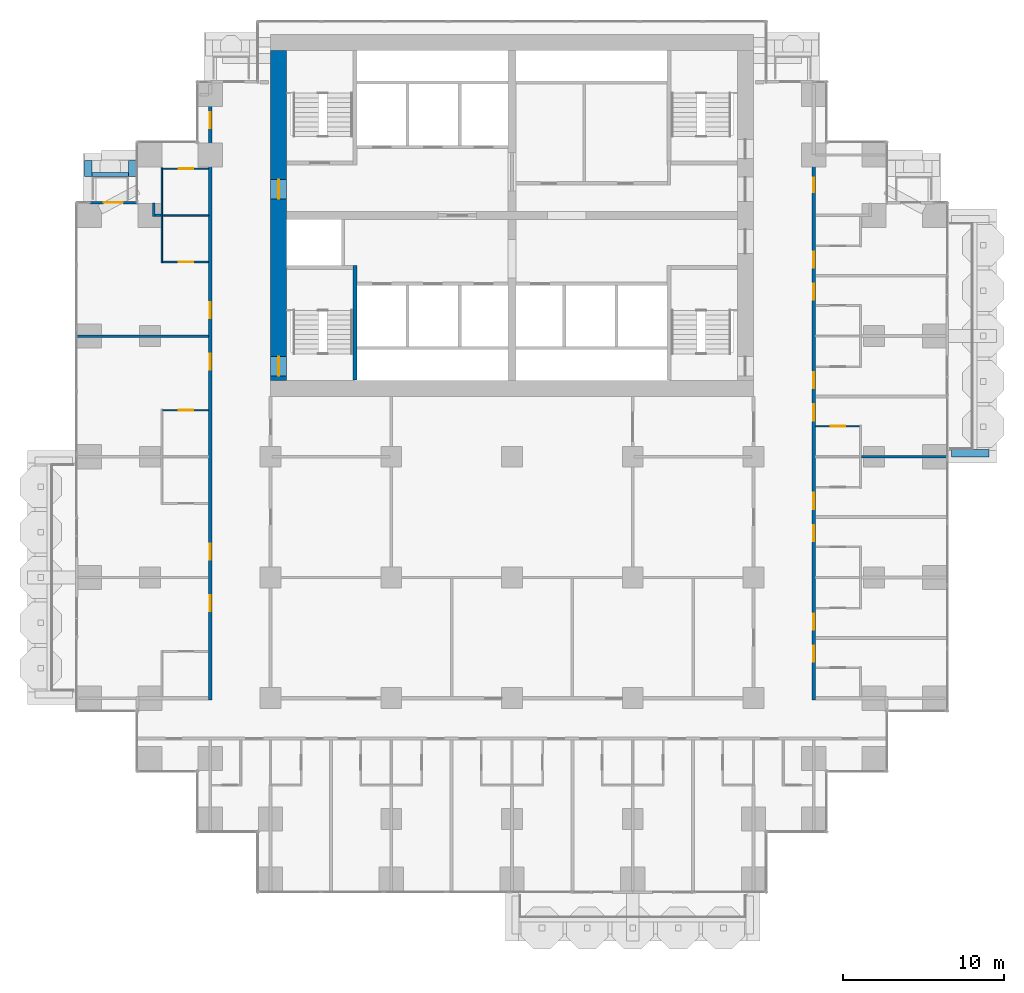
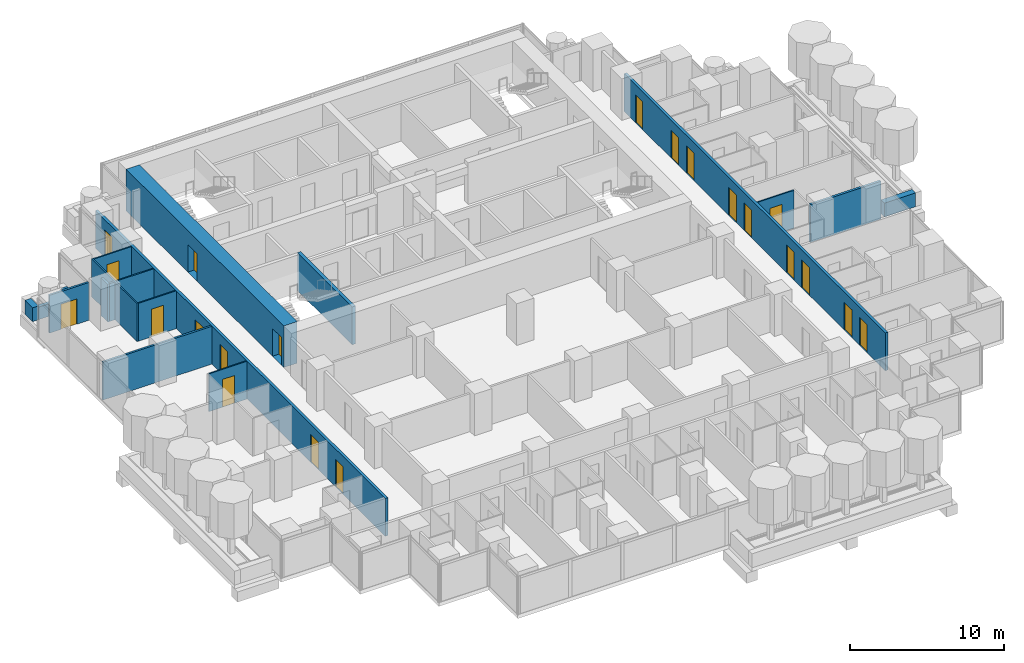
# One storey, part 14 of 20: 21 doors, 19 walls, 21 openings.
"""IFC4 building model written with IfcOpenShell, lengths in metres."""

import ifcopenshell
import ifcopenshell.guid

model = None  # the IFC model being written
_history = None  # IfcOwnerHistory: only IFC2X3 demands one
_inside = {}  # id of a spatial element -> (the spatial element, [elements in it])
_under = {}  # id of a project, library or spatial element -> (it, [spatial elements below it])
_declared = {}  # id of a project -> (the project, [libraries it declares])
_typed = {}  # id of a type object -> (the type object, [elements of that type])
_made_of = {}  # id of a material, layer set ... -> (it, [elements and type objects made of it])


def new_model(schema):
    """Start an empty IFC model of exactly this schema.

    Asked for "IFC4X3", IfcOpenShell would pick the latest addendum, in which some entities
    have other attributes; the version numbers below select the first issue.
    IFC2X3 requires an IfcOwnerHistory on every rooted entity: one is made here for all.
    """
    global model, _history
    if schema == "IFC4X3":
        model = ifcopenshell.file(schema_version=(4, 3, 0, 0))
    else:
        model = ifcopenshell.file(schema=schema)
    _inside.clear()
    _under.clear()
    _declared.clear()
    _typed.clear()
    _made_of.clear()
    _history = None
    if model.schema == "IFC2X3":
        org = make("IfcOrganization", Name="unknown")
        user = make(
            "IfcPersonAndOrganization",
            ThePerson=make("IfcPerson", FamilyName="unknown"),
            TheOrganization=org,
        )
        app = make(
            "IfcApplication",
            ApplicationDeveloper=org,
            Version="unknown",
            ApplicationFullName="unknown",
            ApplicationIdentifier="unknown",
        )
        _history = make(
            "IfcOwnerHistory",
            OwningUser=user,
            OwningApplication=app,
            ChangeAction="ADDED",
            CreationDate=0,
        )
    return model


def make(cls, **values):
    """One entity of the class cls with the attributes given. An attribute that is None is left unset."""
    return model.create_entity(
        cls, **{name: value for name, value in values.items() if value is not None}
    )


def rooted(cls, **values):
    """An entity with a GlobalId (a new one), such as an element, a storey or a relation."""
    return make(cls, GlobalId=ifcopenshell.guid.new(), OwnerHistory=_history, **values)


def si_unit(unit_type, name, prefix=None):
    """IfcSIUnit, for example si_unit("LENGTHUNIT", "METRE", prefix="MILLI")."""
    return make("IfcSIUnit", UnitType=unit_type, Prefix=prefix, Name=name)


def assignment(units):
    """IfcUnitAssignment: the units of a project."""
    return None if units is None else make("IfcUnitAssignment", Units=units)


def point(xyz):
    """IfcCartesianPoint."""
    return None if xyz is None else make("IfcCartesianPoint", Coordinates=xyz)


def direction(xyz):
    """IfcDirection."""
    return None if xyz is None else make("IfcDirection", DirectionRatios=xyz)


def frame(location, z_axis=None, x_axis=None):
    """IfcAxis2Placement3D, a coordinate frame: its origin and axes. An axis left out is left unset."""
    return make(
        "IfcAxis2Placement3D",
        Location=point(location),
        Axis=direction(z_axis),
        RefDirection=direction(x_axis),
    )


def frame_2d(location, x_axis=None):
    """IfcAxis2Placement2D, a coordinate frame in the plane: its origin and x axis."""
    return make(
        "IfcAxis2Placement2D", Location=point(location), RefDirection=direction(x_axis)
    )


def origin():
    """The frame at (0, 0, 0) with its axes left unset."""
    return frame((0.0, 0.0, 0.0))


def place(relative_to, where):
    """IfcLocalPlacement: puts the frame where relative to a parent placement (None: the world)."""
    return make(
        "IfcLocalPlacement", PlacementRelTo=relative_to, RelativePlacement=where
    )


def context(
    kind, dimensions, precision=None, world=None, true_north=None, identifier=None
):
    """IfcGeometricRepresentationContext, for example the 3D "Model" context."""
    return make(
        "IfcGeometricRepresentationContext",
        ContextIdentifier=identifier,
        ContextType=kind,
        CoordinateSpaceDimension=dimensions,
        Precision=precision,
        WorldCoordinateSystem=world,
        TrueNorth=true_north,
    )


def subcontext(parent, identifier, kind, view, scale=None):
    """IfcGeometricRepresentationSubContext, for example "Body" below "Model"."""
    return make(
        "IfcGeometricRepresentationSubContext",
        ContextIdentifier=identifier,
        ContextType=kind,
        ParentContext=parent,
        TargetScale=scale,
        TargetView=view,
    )


def project(units=None, contexts=None):
    """IfcProject with its units and contexts."""
    return rooted(
        "IfcProject",
        Name="project",
        RepresentationContexts=contexts,
        UnitsInContext=assignment(units),
    )


def spatial(cls, under=None, at=None, **own):
    """A site, building, storey or space (cls), placed at a placement, below another one or the project."""
    s = rooted(cls, ObjectPlacement=at, **own)
    if under is not None:
        _under.setdefault(under.id(), (under, []))[1].append(s)
    return s


def profile(cls, at=None, kind="AREA", **sizes):
    """A parametric profile (cls). Its sizes go by their IFC names, for example OverallWidth=200.0."""
    return make(cls, ProfileType=kind, Position=at, **sizes)


def rectangle(**sizes):
    """IfcRectangleProfileDef."""
    return profile("IfcRectangleProfileDef", **sizes)


def extrude(swept, where, along, depth):
    """IfcExtrudedAreaSolid: the profile swept, set in the frame where, extruded along a direction by depth."""
    return make(
        "IfcExtrudedAreaSolid",
        SweptArea=swept,
        Position=where,
        ExtrudedDirection=direction(along),
        Depth=depth,
    )


def shape(context_of_items, identifier, shape_type, items):
    """IfcShapeRepresentation: the items that make up one representation, for example the "Body"."""
    return make(
        "IfcShapeRepresentation",
        ContextOfItems=context_of_items,
        RepresentationIdentifier=identifier,
        RepresentationType=shape_type,
        Items=items,
    )


def material(Name=None, Category=None):
    """IfcMaterial."""
    return make("IfcMaterial", Name=Name, Category=Category)


def layer(
    of_material, thickness, ventilated=None, Name=None, Category=None, Priority=None
):
    """IfcMaterialLayer: one layer of a wall or slab, of a material (None: an air gap)."""
    return make(
        "IfcMaterialLayer",
        Material=of_material,
        LayerThickness=thickness,
        IsVentilated=ventilated,
        Name=Name,
        Category=Category,
        Priority=Priority,
    )


def layer_set(layers, Name=None):
    """IfcMaterialLayerSet."""
    return make("IfcMaterialLayerSet", MaterialLayers=layers, LayerSetName=Name)


def made_of(thing, what):
    """Note that an element or type object is made of a material, layer set ...; save() writes the relation."""
    if what is not None:
        _made_of.setdefault(what.id(), (what, []))[1].append(thing)
    return thing


def type_object(cls, material=None, **own):
    """A type object (cls), such as IfcWallType, which elements share."""
    return made_of(rooted(cls, **own), material)


def element(
    cls,
    number,
    at=None,
    inside=None,
    cuts=None,
    type_object=None,
    material=None,
    context=None,
    identifier="Body",
    shape_type=None,
    held_by="IfcProductDefinitionShape",
    body=None,
    shapes=None,
    **own,
):
    """One element of the class cls, such as IfcWall. Its Tag is "e" and its number.

    at: its placement. inside: the storey or other place that contains it. cuts: it is an
    opening in that element (IfcRelVoidsElement). A single representation is given by context,
    identifier, shape_type and body (its items); several are given by shapes. held_by: the class
    of the entity that holds the representations. save() writes the other relations.
    """
    e = rooted(cls, Tag="e%d" % number, ObjectPlacement=at, **own)
    if body is not None:
        shapes = [shape(context, identifier, shape_type, body)]
    if shapes is not None:
        e.Representation = make(held_by, Representations=shapes)
    if inside is not None:
        _inside.setdefault(inside.id(), (inside, []))[1].append(e)
    if cuts is not None:
        rooted(
            "IfcRelVoidsElement", RelatingBuildingElement=cuts, RelatedOpeningElement=e
        )
    if type_object is not None:
        _typed.setdefault(type_object.id(), (type_object, []))[1].append(e)
    return made_of(e, material)


def fill(opening, filler):
    """IfcRelFillsElement: the door or window that sits in an opening."""
    return rooted(
        "IfcRelFillsElement",
        RelatingOpeningElement=opening,
        RelatedBuildingElement=filler,
    )


def aggregate(whole, parts):
    """IfcRelAggregates: a whole, such as a stair, and the parts it consists of."""
    return rooted("IfcRelAggregates", RelatingObject=whole, RelatedObjects=parts)


def save(model, path):
    """Write the relations noted so far, then the file.

    IfcRelAggregates (storeys below a building ...), IfcRelContainedInSpatialStructure (elements
    in a storey), IfcRelDefinesByType, IfcRelAssociatesMaterial and IfcRelDeclares: one each for
    every whole, place, type object, material and project.
    """
    for whole, parts in _under.values():
        aggregate(whole, parts)
    for where, things in _inside.values():
        rooted(
            "IfcRelContainedInSpatialStructure",
            RelatedElements=things,
            RelatingStructure=where,
        )
    for kind, things in _typed.values():
        rooted("IfcRelDefinesByType", RelatedObjects=things, RelatingType=kind)
    for what, things in _made_of.values():
        rooted("IfcRelAssociatesMaterial", RelatedObjects=things, RelatingMaterial=what)
    for by, libraries in _declared.values():
        rooted("IfcRelDeclares", RelatingContext=by, RelatedDefinitions=libraries)
    model.write(path)


model = new_model("IFC4")

# Units and contexts
model_context = context("Model", 3, precision=1e-05, world=origin(), true_north=direction((0.0, 1.0)))
body_context = subcontext(model_context, "Body", "Model", "MODEL_VIEW")
ifc_project = project(units=[si_unit("LENGTHUNIT", "METRE"), si_unit("AREAUNIT", "SQUARE_METRE"), si_unit("VOLUMEUNIT", "CUBIC_METRE"), si_unit("PLANEANGLEUNIT", "RADIAN"), si_unit("MASSUNIT", "GRAM", prefix="KILO")], contexts=[model_context])

# Site, building, storey
site_placement = place(None, origin())
site = spatial("IfcSite", under=ifc_project, at=site_placement, CompositionType="ELEMENT")
building_placement = place(site_placement, origin())
building = spatial("IfcBuilding", under=site, at=building_placement, Name="Pilkhan Gate Tower", CompositionType="ELEMENT")
storey_placement = place(building_placement, frame((0.0, 0.0, 92.300048828125)))
storey = spatial("IfcBuildingStorey", under=building, at=storey_placement, Name="L22", CompositionType="ELEMENT", Elevation=92.300048828125)

# Walls
ifc_material_1 = material(Name="Dense blockwork", Category="masonry")
ifc_layer_1 = layer(ifc_material_1, 0.175048828125)
ifc_layer_set_1 = layer_set([ifc_layer_1], Name="Acoustic party wall PW175")
wall_type_1 = type_object("IfcWallType", Name="Acoustic party wall PW175", PredefinedType="PARTITIONING", material=ifc_layer_set_1)
wall_1_placement = place(storey_placement, frame((96.699951171875, 67.5, 0.0), z_axis=(0.0, 0.0, 1.0), x_axis=(1.0, 0.0, 0.0)))
element("IfcWall", 1, at=wall_1_placement, inside=storey, type_object=wall_type_1, Name="Partition L22", PredefinedType="PARTITIONING", context=body_context, shape_type="SweptSolid", body=[
    extrude(rectangle(XDim=5.31494140625, YDim=0.175048828125, at=frame_2d((2.657470703125, 0.0))), origin(), (0.0, 0.0, 1.0), 3.0),
])
ifc_material_2 = material(Name="Concrete C40/50", Category="concrete")
ifc_layer_2 = layer(ifc_material_2, 0.25)
ifc_layer_set_2 = layer_set([ifc_layer_2], Name="Balcony planter BP250")
wall_type_2 = type_object("IfcWallType", Name="Balcony planter BP250", PredefinedType="USERDEFINED", material=ifc_layer_set_2)
wall_2_placement = place(storey_placement, frame((48.89990234375, 85.02490234375, 0.0), z_axis=(0.0, 0.0, 1.0), x_axis=(1.0, 0.0, 0.0)))
element("IfcWall", 2, at=wall_2_placement, inside=storey, type_object=wall_type_2, Name="Balcony planter L22 N", ObjectType="BALCONY PLANTER", PredefinedType="USERDEFINED", context=body_context, shape_type="SweptSolid", body=[
    extrude(rectangle(XDim=2.280029296875, YDim=0.25, at=frame_2d((1.14013671875, 0.0))), origin(), (0.0, 0.0, 1.0), 1.0),
])
ifc_material_3 = material(Name="Board-marked Concrete C40/50", Category="concrete")
ifc_layer_3 = layer(ifc_material_3, 0.449951171875)
ifc_layer_set_3 = layer_set([ifc_layer_3], Name="Balcony planter lip BL450")
wall_type_3 = type_object("IfcWallType", Name="Balcony planter lip BL450", PredefinedType="USERDEFINED", material=ifc_layer_set_3)
wall_3_placement = place(storey_placement, frame((102.300048828125, 67.72509765625, 0.0), z_axis=(0.0, 0.0, 1.0), x_axis=(1.0, 0.0, 0.0)))
element("IfcWall", 3, at=wall_3_placement, inside=storey, type_object=wall_type_3, Name="Balcony planter L22 E", ObjectType="BALCONY PLANTER", PredefinedType="USERDEFINED", context=body_context, shape_type="SweptSolid", body=[
    extrude(rectangle(XDim=2.349853515625, YDim=0.449951171875, at=frame_2d((1.1748046875, 0.0))), origin(), (0.0, 0.0, 1.0), 1.099853515625),
])
for number, where, z_axis, x_axis, name in (
    (4, (48.675048828125, 84.89990234375, 0.0), (0.0, 0.0, 1.0), (0.0, 1.0, 0.0), "Balcony planter L22 N"),
    (5, (51.405029296875, 84.89990234375, 0.0), (0.0, 0.0, 1.0), (0.0, 1.0, 0.0), "Balcony planter L22 N"),
):
    element("IfcWall", number, at=place(storey_placement, frame(where, z_axis=z_axis, x_axis=x_axis)), inside=storey, type_object=wall_type_3, Name=name, ObjectType="BALCONY PLANTER", PredefinedType="USERDEFINED", context=body_context, shape_type="SweptSolid", body=[
        extrude(rectangle(XDim=1.0, YDim=0.449951171875, at=frame_2d((0.5, 0.0))), origin(), (0.0, 0.0, 1.0), 1.099853515625),
    ])

# Wall, openings, doors
ifc_material_4 = material(Name="Concrete C70/85", Category="concrete")
ifc_layer_4 = layer(ifc_material_4, 1.0)
ifc_layer_set_4 = layer_set([ifc_layer_4], Name="Core wall CW1000 C70/85")
wall_type_4 = type_object("IfcWallType", Name="Core wall CW1000 C70/85", PredefinedType="SHEAR", material=ifc_layer_set_4)
wall_4_placement = place(storey_placement, frame((60.5, 92.75, 0.0), z_axis=(0.0, 0.0, 1.0), x_axis=(0.0, -1.0, 0.0)))
wall_4 = element("IfcWall", 6, at=wall_4_placement, inside=storey, type_object=wall_type_4, Name="Core wall W L22", PredefinedType="SHEAR", context=body_context, shape_type="SweptSolid", body=[
    extrude(rectangle(XDim=20.5, YDim=1.0, at=frame_2d((10.25, 0.0))), origin(), (0.0, 0.0, 1.0), 3.300048828125),
])
opening_1_placement = place(wall_4_placement, frame((19.02490234375, 0.0, 0.0)))
opening_1 = element("IfcOpeningElement", 7, at=opening_1_placement, cuts=wall_4, Name="Opening L22-04", PredefinedType="OPENING", context=body_context, shape_type="SweptSolid", body=[
    extrude(rectangle(XDim=1.199951171875, YDim=2.199951171875, at=frame_2d((0.60009765625, 1.10009765625))), frame((0.0, 0.510009765625, 0.0), z_axis=(0.0, -1.0, 0.0), x_axis=(1.0, 0.0, 0.0)), (0.0, 0.0, 1.0), 1.02001953125),
])
opening_2_placement = place(wall_4_placement, frame((8.02490234375, 0.0, 0.0)))
opening_2 = element("IfcOpeningElement", 8, at=opening_2_placement, cuts=wall_4, Name="Opening L22-53", PredefinedType="OPENING", context=body_context, shape_type="SweptSolid", body=[
    extrude(rectangle(XDim=1.199951171875, YDim=2.199951171875, at=frame_2d((0.60009765625, 1.10009765625))), frame((0.0, 0.510009765625, 0.0), z_axis=(0.0, -1.0, 0.0), x_axis=(1.0, 0.0, 0.0)), (0.0, 0.0, 1.0), 1.02001953125),
])
ifc_material_5 = material(Name="Steel door, 120 minute fire resisting, self-closing", Category="steel")
door_type_1 = type_object("IfcDoorType", Name="Firefighting lobby door D10 1200x2200", OperationType="SINGLE_SWING_LEFT", PredefinedType="DOOR", material=ifc_material_5)
door_1_placement = place(opening_2_placement, origin())
door_1 = element("IfcDoor", 9, at=door_1_placement, inside=storey, type_object=door_type_1, Name="Core door", OperationType="SINGLE_SWING_RIGHT", OverallHeight=2.199951171875, OverallWidth=1.199951171875, PredefinedType="DOOR", context=body_context, shape_type="SweptSolid", body=[
    extrude(rectangle(XDim=1.199951171875, YDim=2.199951171875, at=frame_2d((0.60009765625, 1.10009765625))), frame((0.0, 0.02490234375, 0.0), z_axis=(0.0, -1.0, 0.0), x_axis=(1.0, 0.0, 0.0)), (0.0, 0.0, 1.0), 0.050048828125),
])
fill(opening_2, door_1)
ifc_material_6 = material(Name="Steel door, 120 minute fire resisting, panic bar", Category="steel")
door_type_2 = type_object("IfcDoorType", Name="Stair door D11 1200x2200", OperationType="SINGLE_SWING_LEFT", PredefinedType="DOOR", material=ifc_material_6)
door_2_placement = place(opening_1_placement, origin())
door_2 = element("IfcDoor", 10, at=door_2_placement, inside=storey, type_object=door_type_2, Name="Stair ST2 door", OperationType="SINGLE_SWING_LEFT", OverallHeight=2.199951171875, OverallWidth=1.199951171875, PredefinedType="DOOR", context=body_context, shape_type="SweptSolid", body=[
    extrude(rectangle(XDim=1.199951171875, YDim=2.199951171875, at=frame_2d((0.60009765625, 1.10009765625))), frame((0.0, 0.02490234375, 0.0), z_axis=(0.0, -1.0, 0.0), x_axis=(1.0, 0.0, 0.0)), (0.0, 0.0, 1.0), 0.050048828125),
])
fill(opening_1, door_2)

ifc_layer_5 = layer(ifc_material_1, 0.199951171875)
ifc_layer_set_5 = layer_set([ifc_layer_5], Name="Corridor wall FW200")
wall_type_5 = type_object("IfcWallType", Name="Corridor wall FW200", PredefinedType="PARTITIONING", material=ifc_layer_set_5)
wall_5_placement = place(storey_placement, frame((56.25, 52.39990234375, 0.0), z_axis=(0.0, 0.0, 1.0), x_axis=(0.0, 1.0, 0.0)))
wall_5 = element("IfcWall", 11, at=wall_5_placement, inside=storey, type_object=wall_type_5, Name="Partition L22", PredefinedType="PARTITIONING", context=body_context, shape_type="SweptSolid", body=[
    extrude(rectangle(XDim=37.675048828125, YDim=0.199951171875, at=frame_2d((18.83740234375, 0.0))), origin(), (0.0, 0.0, 1.0), 3.0),
])
opening_3_placement = place(wall_5_placement, frame((5.5, 0.0, 0.0)))
opening_3 = element("IfcOpeningElement", 12, at=opening_3_placement, cuts=wall_5, Name="Opening L22-26", PredefinedType="OPENING", context=body_context, shape_type="SweptSolid", body=[
    extrude(rectangle(XDim=1.0, YDim=2.199951171875, at=frame_2d((0.5, 1.10009765625))), frame((0.0, 0.10986328125, 0.0), z_axis=(0.0, -1.0, 0.0), x_axis=(1.0, 0.0, 0.0)), (0.0, 0.0, 1.0), 0.219970703125),
])
opening_4_placement = place(wall_5_placement, frame((8.699951171875, 0.0, 0.0)))
opening_4 = element("IfcOpeningElement", 13, at=opening_4_placement, cuts=wall_5, Name="Opening L22-28", PredefinedType="OPENING", context=body_context, shape_type="SweptSolid", body=[
    extrude(rectangle(XDim=1.0, YDim=2.199951171875, at=frame_2d((0.5, 1.10009765625))), frame((0.0, 0.10986328125, 0.0), z_axis=(0.0, -1.0, 0.0), x_axis=(1.0, 0.0, 0.0)), (0.0, 0.0, 1.0), 0.219970703125),
])
opening_5_placement = place(wall_5_placement, frame((20.5, 0.0, 0.0)))
opening_5 = element("IfcOpeningElement", 14, at=opening_5_placement, cuts=wall_5, Name="Opening L22-30", PredefinedType="OPENING", context=body_context, shape_type="SweptSolid", body=[
    extrude(rectangle(XDim=1.0, YDim=2.199951171875, at=frame_2d((0.5, 1.10009765625))), frame((0.0, 0.10986328125, 0.0), z_axis=(0.0, -1.0, 0.0), x_axis=(1.0, 0.0, 0.0)), (0.0, 0.0, 1.0), 0.219970703125),
])
opening_6_placement = place(wall_5_placement, frame((23.699951171875, 0.0, 0.0)))
opening_6 = element("IfcOpeningElement", 15, at=opening_6_placement, cuts=wall_5, Name="Opening L22-32", PredefinedType="OPENING", context=body_context, shape_type="SweptSolid", body=[
    extrude(rectangle(XDim=1.0, YDim=2.199951171875, at=frame_2d((0.5, 1.10009765625))), frame((0.0, 0.10986328125, 0.0), z_axis=(0.0, -1.0, 0.0), x_axis=(1.0, 0.0, 0.0)), (0.0, 0.0, 1.0), 0.219970703125),
])
opening_7_placement = place(wall_5_placement, frame((35.5, 0.0, 0.0)))
opening_7 = element("IfcOpeningElement", 16, at=opening_7_placement, cuts=wall_5, Name="Opening L22-34", PredefinedType="OPENING", context=body_context, shape_type="SweptSolid", body=[
    extrude(rectangle(XDim=1.0, YDim=2.199951171875, at=frame_2d((0.5, 1.10009765625))), frame((0.0, 0.10986328125, 0.0), z_axis=(0.0, -1.0, 0.0), x_axis=(1.0, 0.0, 0.0)), (0.0, 0.0, 1.0), 0.219970703125),
])
ifc_material_7 = material(Name="Timber flush door, 30 minute fire resisting", Category="wood")
door_type_3 = type_object("IfcDoorType", Name="Guest room door D01 1000x2200", OperationType="SINGLE_SWING_LEFT", PredefinedType="DOOR", material=ifc_material_7)
door_3_placement = place(opening_3_placement, origin())
door_3 = element("IfcDoor", 17, at=door_3_placement, inside=storey, type_object=door_type_3, Name="Guest room door", OperationType="SINGLE_SWING_LEFT", OverallHeight=2.199951171875, OverallWidth=1.0, PredefinedType="DOOR", context=body_context, shape_type="SweptSolid", body=[
    extrude(rectangle(XDim=1.0, YDim=2.199951171875, at=frame_2d((0.5, 1.10009765625))), frame((0.0, 0.02490234375, 0.0), z_axis=(0.0, -1.0, 0.0), x_axis=(1.0, 0.0, 0.0)), (0.0, 0.0, 1.0), 0.050048828125),
])
fill(opening_3, door_3)
door_4_placement = place(opening_4_placement, origin())
door_4 = element("IfcDoor", 18, at=door_4_placement, inside=storey, type_object=door_type_3, Name="Guest room door", OperationType="SINGLE_SWING_RIGHT", OverallHeight=2.199951171875, OverallWidth=1.0, PredefinedType="DOOR", context=body_context, shape_type="SweptSolid", body=[
    extrude(rectangle(XDim=1.0, YDim=2.199951171875, at=frame_2d((0.5, 1.10009765625))), frame((0.0, 0.02490234375, 0.0), z_axis=(0.0, -1.0, 0.0), x_axis=(1.0, 0.0, 0.0)), (0.0, 0.0, 1.0), 0.050048828125),
])
fill(opening_4, door_4)
door_5_placement = place(opening_5_placement, origin())
door_5 = element("IfcDoor", 19, at=door_5_placement, inside=storey, type_object=door_type_3, Name="Guest room door", OperationType="SINGLE_SWING_LEFT", OverallHeight=2.199951171875, OverallWidth=1.0, PredefinedType="DOOR", context=body_context, shape_type="SweptSolid", body=[
    extrude(rectangle(XDim=1.0, YDim=2.199951171875, at=frame_2d((0.5, 1.10009765625))), frame((0.0, 0.02490234375, 0.0), z_axis=(0.0, -1.0, 0.0), x_axis=(1.0, 0.0, 0.0)), (0.0, 0.0, 1.0), 0.050048828125),
])
fill(opening_5, door_5)
door_6_placement = place(opening_6_placement, origin())
door_6 = element("IfcDoor", 20, at=door_6_placement, inside=storey, type_object=door_type_3, Name="Guest room door", OperationType="SINGLE_SWING_RIGHT", OverallHeight=2.199951171875, OverallWidth=1.0, PredefinedType="DOOR", context=body_context, shape_type="SweptSolid", body=[
    extrude(rectangle(XDim=1.0, YDim=2.199951171875, at=frame_2d((0.5, 1.10009765625))), frame((0.0, 0.02490234375, 0.0), z_axis=(0.0, -1.0, 0.0), x_axis=(1.0, 0.0, 0.0)), (0.0, 0.0, 1.0), 0.050048828125),
])
fill(opening_6, door_6)
door_7_placement = place(opening_7_placement, origin())
door_7 = element("IfcDoor", 21, at=door_7_placement, inside=storey, type_object=door_type_3, Name="Guest room door", OperationType="SINGLE_SWING_RIGHT", OverallHeight=2.199951171875, OverallWidth=1.0, PredefinedType="DOOR", context=body_context, shape_type="SweptSolid", body=[
    extrude(rectangle(XDim=1.0, YDim=2.199951171875, at=frame_2d((0.5, 1.10009765625))), frame((0.0, 0.02490234375, 0.0), z_axis=(0.0, -1.0, 0.0), x_axis=(1.0, 0.0, 0.0)), (0.0, 0.0, 1.0), 0.050048828125),
])
fill(opening_7, door_7)

wall_6_placement = place(storey_placement, frame((93.75, 52.39990234375, 0.0), z_axis=(0.0, 0.0, 1.0), x_axis=(0.0, 1.0, 0.0)))
wall_6 = element("IfcWall", 22, at=wall_6_placement, inside=storey, type_object=wall_type_5, Name="Partition L22", PredefinedType="PARTITIONING", context=body_context, shape_type="SweptSolid", body=[
    extrude(rectangle(XDim=33.925048828125, YDim=0.199951171875, at=frame_2d((16.96240234375, 0.0))), origin(), (0.0, 0.0, 1.0), 3.0),
])
opening_8_placement = place(wall_6_placement, frame((2.35009765625, 0.0, 0.0)))
opening_8 = element("IfcOpeningElement", 23, at=opening_8_placement, cuts=wall_6, Name="Opening L22-36", PredefinedType="OPENING", context=body_context, shape_type="SweptSolid", body=[
    extrude(rectangle(XDim=1.0, YDim=2.199951171875, at=frame_2d((0.5, 1.10009765625))), frame((0.0, 0.10986328125, 0.0), z_axis=(0.0, -1.0, 0.0), x_axis=(1.0, 0.0, 0.0)), (0.0, 0.0, 1.0), 0.219970703125),
])
opening_9_placement = place(wall_6_placement, frame((4.35009765625, 0.0, 0.0)))
opening_9 = element("IfcOpeningElement", 24, at=opening_9_placement, cuts=wall_6, Name="Opening L22-38", PredefinedType="OPENING", context=body_context, shape_type="SweptSolid", body=[
    extrude(rectangle(XDim=1.0, YDim=2.199951171875, at=frame_2d((0.5, 1.10009765625))), frame((0.0, 0.10986328125, 0.0), z_axis=(0.0, -1.0, 0.0), x_axis=(1.0, 0.0, 0.0)), (0.0, 0.0, 1.0), 0.219970703125),
])
opening_10_placement = place(wall_6_placement, frame((9.85009765625, 0.0, 0.0)))
opening_10 = element("IfcOpeningElement", 25, at=opening_10_placement, cuts=wall_6, Name="Opening L22-40", PredefinedType="OPENING", context=body_context, shape_type="SweptSolid", body=[
    extrude(rectangle(XDim=1.0, YDim=2.199951171875, at=frame_2d((0.5, 1.10009765625))), frame((0.0, 0.10986328125, 0.0), z_axis=(0.0, -1.0, 0.0), x_axis=(1.0, 0.0, 0.0)), (0.0, 0.0, 1.0), 0.219970703125),
])
opening_11_placement = place(wall_6_placement, frame((11.85009765625, 0.0, 0.0)))
opening_11 = element("IfcOpeningElement", 26, at=opening_11_placement, cuts=wall_6, Name="Opening L22-42", PredefinedType="OPENING", context=body_context, shape_type="SweptSolid", body=[
    extrude(rectangle(XDim=1.0, YDim=2.199951171875, at=frame_2d((0.5, 1.10009765625))), frame((0.0, 0.10986328125, 0.0), z_axis=(0.0, -1.0, 0.0), x_axis=(1.0, 0.0, 0.0)), (0.0, 0.0, 1.0), 0.219970703125),
])
opening_12_placement = place(wall_6_placement, frame((17.35009765625, 0.0, 0.0)))
opening_12 = element("IfcOpeningElement", 27, at=opening_12_placement, cuts=wall_6, Name="Opening L22-44", PredefinedType="OPENING", context=body_context, shape_type="SweptSolid", body=[
    extrude(rectangle(XDim=1.0, YDim=2.199951171875, at=frame_2d((0.5, 1.10009765625))), frame((0.0, 0.10986328125, 0.0), z_axis=(0.0, -1.0, 0.0), x_axis=(1.0, 0.0, 0.0)), (0.0, 0.0, 1.0), 0.219970703125),
])
opening_13_placement = place(wall_6_placement, frame((19.35009765625, 0.0, 0.0)))
opening_13 = element("IfcOpeningElement", 28, at=opening_13_placement, cuts=wall_6, Name="Opening L22-46", PredefinedType="OPENING", context=body_context, shape_type="SweptSolid", body=[
    extrude(rectangle(XDim=1.0, YDim=2.199951171875, at=frame_2d((0.5, 1.10009765625))), frame((0.0, 0.10986328125, 0.0), z_axis=(0.0, -1.0, 0.0), x_axis=(1.0, 0.0, 0.0)), (0.0, 0.0, 1.0), 0.219970703125),
])
opening_14_placement = place(wall_6_placement, frame((24.85009765625, 0.0, 0.0)))
opening_14 = element("IfcOpeningElement", 29, at=opening_14_placement, cuts=wall_6, Name="Opening L22-48", PredefinedType="OPENING", context=body_context, shape_type="SweptSolid", body=[
    extrude(rectangle(XDim=1.0, YDim=2.199951171875, at=frame_2d((0.5, 1.10009765625))), frame((0.0, 0.10986328125, 0.0), z_axis=(0.0, -1.0, 0.0), x_axis=(1.0, 0.0, 0.0)), (0.0, 0.0, 1.0), 0.219970703125),
])
opening_15_placement = place(wall_6_placement, frame((26.85009765625, 0.0, 0.0)))
opening_15 = element("IfcOpeningElement", 30, at=opening_15_placement, cuts=wall_6, Name="Opening L22-50", PredefinedType="OPENING", context=body_context, shape_type="SweptSolid", body=[
    extrude(rectangle(XDim=1.0, YDim=2.199951171875, at=frame_2d((0.5, 1.10009765625))), frame((0.0, 0.10986328125, 0.0), z_axis=(0.0, -1.0, 0.0), x_axis=(1.0, 0.0, 0.0)), (0.0, 0.0, 1.0), 0.219970703125),
])
opening_16_placement = place(wall_6_placement, frame((31.550048828125, 0.0, 0.0)))
opening_16 = element("IfcOpeningElement", 31, at=opening_16_placement, cuts=wall_6, Name="Opening L22-59", PredefinedType="OPENING", context=body_context, shape_type="SweptSolid", body=[
    extrude(rectangle(XDim=0.89990234375, YDim=2.199951171875, at=frame_2d((0.449951171875, 1.10009765625))), frame((0.0, 0.10986328125, 0.0), z_axis=(0.0, -1.0, 0.0), x_axis=(1.0, 0.0, 0.0)), (0.0, 0.0, 1.0), 0.219970703125),
])
door_8_placement = place(opening_8_placement, origin())
door_8 = element("IfcDoor", 32, at=door_8_placement, inside=storey, type_object=door_type_3, Name="Guest room door", OperationType="SINGLE_SWING_LEFT", OverallHeight=2.199951171875, OverallWidth=1.0, PredefinedType="DOOR", context=body_context, shape_type="SweptSolid", body=[
    extrude(rectangle(XDim=1.0, YDim=2.199951171875, at=frame_2d((0.5, 1.10009765625))), frame((0.0, 0.02490234375, 0.0), z_axis=(0.0, -1.0, 0.0), x_axis=(1.0, 0.0, 0.0)), (0.0, 0.0, 1.0), 0.050048828125),
])
fill(opening_8, door_8)
door_9_placement = place(opening_9_placement, origin())
door_9 = element("IfcDoor", 33, at=door_9_placement, inside=storey, type_object=door_type_3, Name="Guest room door", OperationType="SINGLE_SWING_LEFT", OverallHeight=2.199951171875, OverallWidth=1.0, PredefinedType="DOOR", context=body_context, shape_type="SweptSolid", body=[
    extrude(rectangle(XDim=1.0, YDim=2.199951171875, at=frame_2d((0.5, 1.10009765625))), frame((0.0, 0.02490234375, 0.0), z_axis=(0.0, -1.0, 0.0), x_axis=(1.0, 0.0, 0.0)), (0.0, 0.0, 1.0), 0.050048828125),
])
fill(opening_9, door_9)
door_10_placement = place(opening_10_placement, origin())
door_10 = element("IfcDoor", 34, at=door_10_placement, inside=storey, type_object=door_type_3, Name="Guest room door", OperationType="SINGLE_SWING_RIGHT", OverallHeight=2.199951171875, OverallWidth=1.0, PredefinedType="DOOR", context=body_context, shape_type="SweptSolid", body=[
    extrude(rectangle(XDim=1.0, YDim=2.199951171875, at=frame_2d((0.5, 1.10009765625))), frame((0.0, 0.02490234375, 0.0), z_axis=(0.0, -1.0, 0.0), x_axis=(1.0, 0.0, 0.0)), (0.0, 0.0, 1.0), 0.050048828125),
])
fill(opening_10, door_10)
door_11_placement = place(opening_11_placement, origin())
door_11 = element("IfcDoor", 35, at=door_11_placement, inside=storey, type_object=door_type_3, Name="Guest room door", OperationType="SINGLE_SWING_RIGHT", OverallHeight=2.199951171875, OverallWidth=1.0, PredefinedType="DOOR", context=body_context, shape_type="SweptSolid", body=[
    extrude(rectangle(XDim=1.0, YDim=2.199951171875, at=frame_2d((0.5, 1.10009765625))), frame((0.0, 0.02490234375, 0.0), z_axis=(0.0, -1.0, 0.0), x_axis=(1.0, 0.0, 0.0)), (0.0, 0.0, 1.0), 0.050048828125),
])
fill(opening_11, door_11)
door_12_placement = place(opening_12_placement, origin())
door_12 = element("IfcDoor", 36, at=door_12_placement, inside=storey, type_object=door_type_3, Name="Guest room door", OperationType="SINGLE_SWING_LEFT", OverallHeight=2.199951171875, OverallWidth=1.0, PredefinedType="DOOR", context=body_context, shape_type="SweptSolid", body=[
    extrude(rectangle(XDim=1.0, YDim=2.199951171875, at=frame_2d((0.5, 1.10009765625))), frame((0.0, 0.02490234375, 0.0), z_axis=(0.0, -1.0, 0.0), x_axis=(1.0, 0.0, 0.0)), (0.0, 0.0, 1.0), 0.050048828125),
])
fill(opening_12, door_12)
door_13_placement = place(opening_13_placement, origin())
door_13 = element("IfcDoor", 37, at=door_13_placement, inside=storey, type_object=door_type_3, Name="Guest room door", OperationType="SINGLE_SWING_LEFT", OverallHeight=2.199951171875, OverallWidth=1.0, PredefinedType="DOOR", context=body_context, shape_type="SweptSolid", body=[
    extrude(rectangle(XDim=1.0, YDim=2.199951171875, at=frame_2d((0.5, 1.10009765625))), frame((0.0, 0.02490234375, 0.0), z_axis=(0.0, -1.0, 0.0), x_axis=(1.0, 0.0, 0.0)), (0.0, 0.0, 1.0), 0.050048828125),
])
fill(opening_13, door_13)
door_14_placement = place(opening_14_placement, origin())
door_14 = element("IfcDoor", 38, at=door_14_placement, inside=storey, type_object=door_type_3, Name="Guest room door", OperationType="SINGLE_SWING_LEFT", OverallHeight=2.199951171875, OverallWidth=1.0, PredefinedType="DOOR", context=body_context, shape_type="SweptSolid", body=[
    extrude(rectangle(XDim=1.0, YDim=2.199951171875, at=frame_2d((0.5, 1.10009765625))), frame((0.0, 0.02490234375, 0.0), z_axis=(0.0, -1.0, 0.0), x_axis=(1.0, 0.0, 0.0)), (0.0, 0.0, 1.0), 0.050048828125),
])
fill(opening_14, door_14)
door_15_placement = place(opening_15_placement, origin())
door_15 = element("IfcDoor", 39, at=door_15_placement, inside=storey, type_object=door_type_3, Name="Guest room door", OperationType="SINGLE_SWING_LEFT", OverallHeight=2.199951171875, OverallWidth=1.0, PredefinedType="DOOR", context=body_context, shape_type="SweptSolid", body=[
    extrude(rectangle(XDim=1.0, YDim=2.199951171875, at=frame_2d((0.5, 1.10009765625))), frame((0.0, 0.02490234375, 0.0), z_axis=(0.0, -1.0, 0.0), x_axis=(1.0, 0.0, 0.0)), (0.0, 0.0, 1.0), 0.050048828125),
])
fill(opening_15, door_15)
ifc_material_8 = material(Name="Timber flush door, 60 minute fire resisting, self-closing", Category="wood")
door_type_4 = type_object("IfcDoorType", Name="Store door D05 900x2200", OperationType="SINGLE_SWING_LEFT", PredefinedType="DOOR", material=ifc_material_8)
door_16_placement = place(opening_16_placement, origin())
door_16 = element("IfcDoor", 40, at=door_16_placement, inside=storey, type_object=door_type_4, Name="Store door", OperationType="SINGLE_SWING_LEFT", OverallHeight=2.199951171875, OverallWidth=0.89990234375, PredefinedType="DOOR", context=body_context, shape_type="SweptSolid", body=[
    extrude(rectangle(XDim=0.89990234375, YDim=2.199951171875, at=frame_2d((0.449951171875, 1.10009765625))), frame((0.0, 0.02490234375, 0.0), z_axis=(0.0, -1.0, 0.0), x_axis=(1.0, 0.0, 0.0)), (0.0, 0.0, 1.0), 0.050048828125),
])
fill(opening_16, door_16)

# Wall, opening, door
ifc_material_9 = material(Name="Pale anodised aluminium, clear laminated glazing", Category="aluminium")
ifc_layer_6 = layer(ifc_material_9, 0.14990234375)
ifc_layer_set_6 = layer_set([ifc_layer_6], Name="Facade infill wall IW150")
wall_type_6 = type_object("IfcWallType", Name="Facade infill wall IW150", PredefinedType="SOLIDWALL", material=ifc_layer_set_6)
wall_7_placement = place(storey_placement, frame((48.75, 83.294921875, 0.0), z_axis=(0.0, 0.0, 1.0), x_axis=(1.0, 0.0, 0.0)))
wall_7 = element("IfcWall", 41, at=wall_7_placement, inside=storey, type_object=wall_type_6, Name="Infill wall L22 N", PredefinedType="SOLIDWALL", context=body_context, shape_type="SweptSolid", body=[
    extrude(rectangle(XDim=2.955078125, YDim=0.14990234375, at=frame_2d((1.4775390625, 0.0))), origin(), (0.0, 0.0, 1.0), 3.0),
])
opening_17_placement = place(wall_7_placement, frame((0.87744140625, 0.0, 0.0)))
opening_17 = element("IfcOpeningElement", 42, at=opening_17_placement, cuts=wall_7, Name="Opening D1L", PredefinedType="OPENING", context=body_context, shape_type="SweptSolid", body=[
    extrude(rectangle(XDim=1.199951171875, YDim=2.0, at=frame_2d((0.60009765625, 1.0))), frame((0.0, 0.0849609375, 0.0), z_axis=(0.0, -1.0, 0.0), x_axis=(1.0, 0.0, 0.0)), (0.0, 0.0, 1.0), 0.169921875),
])
ifc_material_10 = material(Name="Pale anodised aluminium, clear glazing", Category="aluminium")
door_type_5 = type_object("IfcDoorType", Name="Balcony door D1L 1200x2000", OperationType="SINGLE_SWING_LEFT", PredefinedType="DOOR", material=ifc_material_10)
door_17_placement = place(opening_17_placement, origin())
door_17 = element("IfcDoor", 43, at=door_17_placement, inside=storey, type_object=door_type_5, Name="Balcony door L22", OperationType="SINGLE_SWING_LEFT", OverallHeight=2.0, OverallWidth=1.199951171875, PredefinedType="DOOR", context=body_context, shape_type="SweptSolid", body=[
    extrude(rectangle(XDim=1.199951171875, YDim=2.0, at=frame_2d((0.60009765625, 1.0))), frame((0.0, 0.02490234375, 0.0), z_axis=(0.0, -1.0, 0.0), x_axis=(1.0, 0.0, 0.0)), (0.0, 0.0, 1.0), 0.050048828125),
])
fill(opening_17, door_17)

# Walls
ifc_material_11 = material(Name="Blockwork partition, plastered both sides", Category="masonry")
ifc_layer_7 = layer(ifc_material_11, 0.14990234375)
ifc_layer_set_7 = layer_set([ifc_layer_7], Name="Partition PW150")
wall_type_7 = type_object("IfcWallType", Name="Partition PW150", PredefinedType="PARTITIONING", material=ifc_layer_set_7)
wall_8_placement = place(storey_placement, frame((47.985107421875, 75.0, 0.0), z_axis=(0.0, 0.0, 1.0), x_axis=(1.0, 0.0, 0.0)))
element("IfcWall", 44, at=wall_8_placement, inside=storey, type_object=wall_type_7, Name="Partition L22", PredefinedType="PARTITIONING", context=body_context, shape_type="SweptSolid", body=[
    extrude(rectangle(XDim=8.164794921875, YDim=0.14990234375, at=frame_2d((4.08251953125, 0.0))), origin(), (0.0, 0.0, 1.0), 3.0),
])
wall_9_placement = place(storey_placement, frame((52.81005859375, 82.5, 0.0), z_axis=(0.0, 0.0, 1.0), x_axis=(1.0, 0.0, 0.0)))
element("IfcWall", 45, at=wall_9_placement, inside=storey, type_object=wall_type_7, Name="Partition L22", PredefinedType="PARTITIONING", context=body_context, shape_type="SweptSolid", body=[
    extrude(rectangle(XDim=0.389892578125, YDim=0.14990234375, at=frame_2d((0.19482421875, 0.0))), origin(), (0.0, 0.0, 1.0), 3.0),
])
wall_10_placement = place(storey_placement, frame((52.735107421875, 82.425048828125, 0.0), z_axis=(0.0, 0.0, 1.0), x_axis=(0.0, 1.0, 0.0)))
element("IfcWall", 46, at=wall_10_placement, inside=storey, type_object=wall_type_7, Name="Partition L22", PredefinedType="PARTITIONING", context=body_context, shape_type="SweptSolid", body=[
    extrude(rectangle(XDim=0.83984375, YDim=0.14990234375, at=frame_2d((0.419921875, 0.0))), origin(), (0.0, 0.0, 1.0), 3.0),
])
ifc_material_12 = material(Name="Reinforced blockwork, 120 minute fire resisting", Category="masonry")
ifc_layer_8 = layer(ifc_material_12, 0.25)
ifc_layer_set_8 = layer_set([ifc_layer_8], Name="Stair enclosure wall SE250")
wall_type_8 = type_object("IfcWallType", Name="Stair enclosure wall SE250", PredefinedType="PARTITIONING", material=ifc_layer_set_8)
wall_11_placement = place(storey_placement, frame((65.25, 72.260009765625, 0.0), z_axis=(0.0, 0.0, 1.0), x_axis=(0.0, 1.0, 0.0)))
element("IfcWall", 47, at=wall_11_placement, inside=storey, type_object=wall_type_8, Name="Partition L22", PredefinedType="PARTITIONING", context=body_context, shape_type="SweptSolid", body=[
    extrude(rectangle(XDim=7.114990234375, YDim=0.25, at=frame_2d((3.5576171875, 0.0))), origin(), (0.0, 0.0, 1.0), 3.0),
])

# Wall, opening, door
ifc_material_13 = material(Name="Moisture resistant board, tiled")
ifc_layer_9 = layer(ifc_material_13, 0.10009765625)
ifc_layer_set_9 = layer_set([ifc_layer_9], Name="Wet wall PW100")
wall_type_9 = type_object("IfcWallType", Name="Wet wall PW100", PredefinedType="PARTITIONING", material=ifc_layer_set_9)
wall_12_placement = place(storey_placement, frame((93.85009765625, 69.39990234375, 0.0), z_axis=(0.0, 0.0, 1.0), x_axis=(1.0, 0.0, 0.0)))
wall_12 = element("IfcWall", 48, at=wall_12_placement, inside=storey, type_object=wall_type_9, Name="Partition L22", PredefinedType="PARTITIONING", context=body_context, shape_type="SweptSolid", body=[
    extrude(rectangle(XDim=2.75, YDim=0.10009765625, at=frame_2d((1.375, 0.0))), origin(), (0.0, 0.0, 1.0), 3.0),
])
opening_18_placement = place(wall_12_placement, frame((0.949951171875, 0.0, 0.0)))
opening_18 = element("IfcOpeningElement", 49, at=opening_18_placement, cuts=wall_12, Name="Opening L22-45", PredefinedType="OPENING", context=body_context, shape_type="SweptSolid", body=[
    extrude(rectangle(XDim=0.89990234375, YDim=2.199951171875, at=frame_2d((0.449951171875, 1.10009765625))), frame((0.0, 0.06005859375, 0.0), z_axis=(0.0, -1.0, 0.0), x_axis=(1.0, 0.0, 0.0)), (0.0, 0.0, 1.0), 0.1201171875),
])
ifc_material_14 = material(Name="Timber flush door", Category="wood")
door_type_6 = type_object("IfcDoorType", Name="Bathroom door D02 900x2200", OperationType="SINGLE_SWING_RIGHT", PredefinedType="DOOR", material=ifc_material_14)
door_18_placement = place(opening_18_placement, origin())
door_18 = element("IfcDoor", 50, at=door_18_placement, inside=storey, type_object=door_type_6, Name="Bathroom door", OperationType="SINGLE_SWING_RIGHT", OverallHeight=2.199951171875, OverallWidth=0.89990234375, PredefinedType="DOOR", context=body_context, shape_type="SweptSolid", body=[
    extrude(rectangle(XDim=0.89990234375, YDim=2.199951171875, at=frame_2d((0.449951171875, 1.10009765625))), frame((0.0, 0.02490234375, 0.0), z_axis=(0.0, -1.0, 0.0), x_axis=(1.0, 0.0, 0.0)), (0.0, 0.0, 1.0), 0.050048828125),
])
fill(opening_18, door_18)

wall_13_placement = place(storey_placement, frame((53.300048828125, 70.39990234375, 0.0), z_axis=(0.0, 0.0, 1.0), x_axis=(1.0, 0.0, 0.0)))
wall_13 = element("IfcWall", 51, at=wall_13_placement, inside=storey, type_object=wall_type_9, Name="Partition L22", PredefinedType="PARTITIONING", context=body_context, shape_type="SweptSolid", body=[
    extrude(rectangle(XDim=2.849853515625, YDim=0.10009765625, at=frame_2d((1.4248046875, 0.0))), origin(), (0.0, 0.0, 1.0), 3.0),
])
opening_19_placement = place(wall_13_placement, frame((1.0, 0.0, 0.0)))
opening_19 = element("IfcOpeningElement", 52, at=opening_19_placement, cuts=wall_13, Name="Opening L22-31", PredefinedType="OPENING", context=body_context, shape_type="SweptSolid", body=[
    extrude(rectangle(XDim=0.89990234375, YDim=2.199951171875, at=frame_2d((0.449951171875, 1.10009765625))), frame((0.0, 0.06005859375, 0.0), z_axis=(0.0, -1.0, 0.0), x_axis=(1.0, 0.0, 0.0)), (0.0, 0.0, 1.0), 0.1201171875),
])
door_19_placement = place(opening_19_placement, origin())
door_19 = element("IfcDoor", 53, at=door_19_placement, inside=storey, type_object=door_type_6, Name="Bathroom door", OperationType="SINGLE_SWING_RIGHT", OverallHeight=2.199951171875, OverallWidth=0.89990234375, PredefinedType="DOOR", context=body_context, shape_type="SweptSolid", body=[
    extrude(rectangle(XDim=0.89990234375, YDim=2.199951171875, at=frame_2d((0.449951171875, 1.10009765625))), frame((0.0, 0.02490234375, 0.0), z_axis=(0.0, -1.0, 0.0), x_axis=(1.0, 0.0, 0.0)), (0.0, 0.0, 1.0), 0.050048828125),
])
fill(opening_19, door_19)

wall_14_placement = place(storey_placement, frame((53.300048828125, 79.60009765625, 0.0), z_axis=(0.0, 0.0, 1.0), x_axis=(1.0, 0.0, 0.0)))
wall_14 = element("IfcWall", 54, at=wall_14_placement, inside=storey, type_object=wall_type_9, Name="Partition L22", PredefinedType="PARTITIONING", context=body_context, shape_type="SweptSolid", body=[
    extrude(rectangle(XDim=2.849853515625, YDim=0.10009765625, at=frame_2d((1.4248046875, 0.0))), origin(), (0.0, 0.0, 1.0), 3.0),
])
opening_20_placement = place(wall_14_placement, frame((1.0, 0.0, 0.0)))
opening_20 = element("IfcOpeningElement", 55, at=opening_20_placement, cuts=wall_14, Name="Opening L22-33", PredefinedType="OPENING", context=body_context, shape_type="SweptSolid", body=[
    extrude(rectangle(XDim=0.89990234375, YDim=2.199951171875, at=frame_2d((0.449951171875, 1.10009765625))), frame((0.0, 0.06005859375, 0.0), z_axis=(0.0, -1.0, 0.0), x_axis=(1.0, 0.0, 0.0)), (0.0, 0.0, 1.0), 0.1201171875),
])
door_20_placement = place(opening_20_placement, origin())
door_20 = element("IfcDoor", 56, at=door_20_placement, inside=storey, type_object=door_type_6, Name="Bathroom door", OperationType="SINGLE_SWING_RIGHT", OverallHeight=2.199951171875, OverallWidth=0.89990234375, PredefinedType="DOOR", context=body_context, shape_type="SweptSolid", body=[
    extrude(rectangle(XDim=0.89990234375, YDim=2.199951171875, at=frame_2d((0.449951171875, 1.10009765625))), frame((0.0, 0.02490234375, 0.0), z_axis=(0.0, -1.0, 0.0), x_axis=(1.0, 0.0, 0.0)), (0.0, 0.0, 1.0), 0.050048828125),
])
fill(opening_20, door_20)

# Wall
wall_15_placement = place(storey_placement, frame((53.300048828125, 82.5, 0.0), z_axis=(0.0, 0.0, 1.0), x_axis=(1.0, 0.0, 0.0)))
element("IfcWall", 57, at=wall_15_placement, inside=storey, type_object=wall_type_9, Name="Partition L22", PredefinedType="PARTITIONING", context=body_context, shape_type="SweptSolid", body=[
    extrude(rectangle(XDim=2.849853515625, YDim=0.10009765625, at=frame_2d((1.4248046875, 0.0))), origin(), (0.0, 0.0, 1.0), 3.0),
])

# Wall, opening, door
wall_16_placement = place(storey_placement, frame((53.300048828125, 85.39990234375, 0.0), z_axis=(0.0, 0.0, 1.0), x_axis=(1.0, 0.0, 0.0)))
wall_16 = element("IfcWall", 58, at=wall_16_placement, inside=storey, type_object=wall_type_9, Name="Partition L22", PredefinedType="PARTITIONING", context=body_context, shape_type="SweptSolid", body=[
    extrude(rectangle(XDim=2.849853515625, YDim=0.10009765625, at=frame_2d((1.4248046875, 0.0))), origin(), (0.0, 0.0, 1.0), 3.0),
])
opening_21_placement = place(wall_16_placement, frame((1.0, 0.0, 0.0)))
opening_21 = element("IfcOpeningElement", 59, at=opening_21_placement, cuts=wall_16, Name="Opening L22-35", PredefinedType="OPENING", context=body_context, shape_type="SweptSolid", body=[
    extrude(rectangle(XDim=0.89990234375, YDim=2.199951171875, at=frame_2d((0.449951171875, 1.10009765625))), frame((0.0, 0.06005859375, 0.0), z_axis=(0.0, -1.0, 0.0), x_axis=(1.0, 0.0, 0.0)), (0.0, 0.0, 1.0), 0.1201171875),
])
door_21_placement = place(opening_21_placement, origin())
door_21 = element("IfcDoor", 60, at=door_21_placement, inside=storey, type_object=door_type_6, Name="Bathroom door", OperationType="SINGLE_SWING_RIGHT", OverallHeight=2.199951171875, OverallWidth=0.89990234375, PredefinedType="DOOR", context=body_context, shape_type="SweptSolid", body=[
    extrude(rectangle(XDim=0.89990234375, YDim=2.199951171875, at=frame_2d((0.449951171875, 1.10009765625))), frame((0.0, 0.02490234375, 0.0), z_axis=(0.0, -1.0, 0.0), x_axis=(1.0, 0.0, 0.0)), (0.0, 0.0, 1.0), 0.050048828125),
])
fill(opening_21, door_21)

# Wall
wall_17_placement = place(storey_placement, frame((53.25, 79.550048828125, 0.0), z_axis=(0.0, 0.0, 1.0), x_axis=(0.0, 1.0, 0.0)))
element("IfcWall", 61, at=wall_17_placement, inside=storey, type_object=wall_type_9, Name="Partition L22", PredefinedType="PARTITIONING", context=body_context, shape_type="SweptSolid", body=[
    extrude(rectangle(XDim=5.89990234375, YDim=0.10009765625, at=frame_2d((2.949951171875, 0.0))), origin(), (0.0, 0.0, 1.0), 3.0),
])

save(model, "model.ifc")
